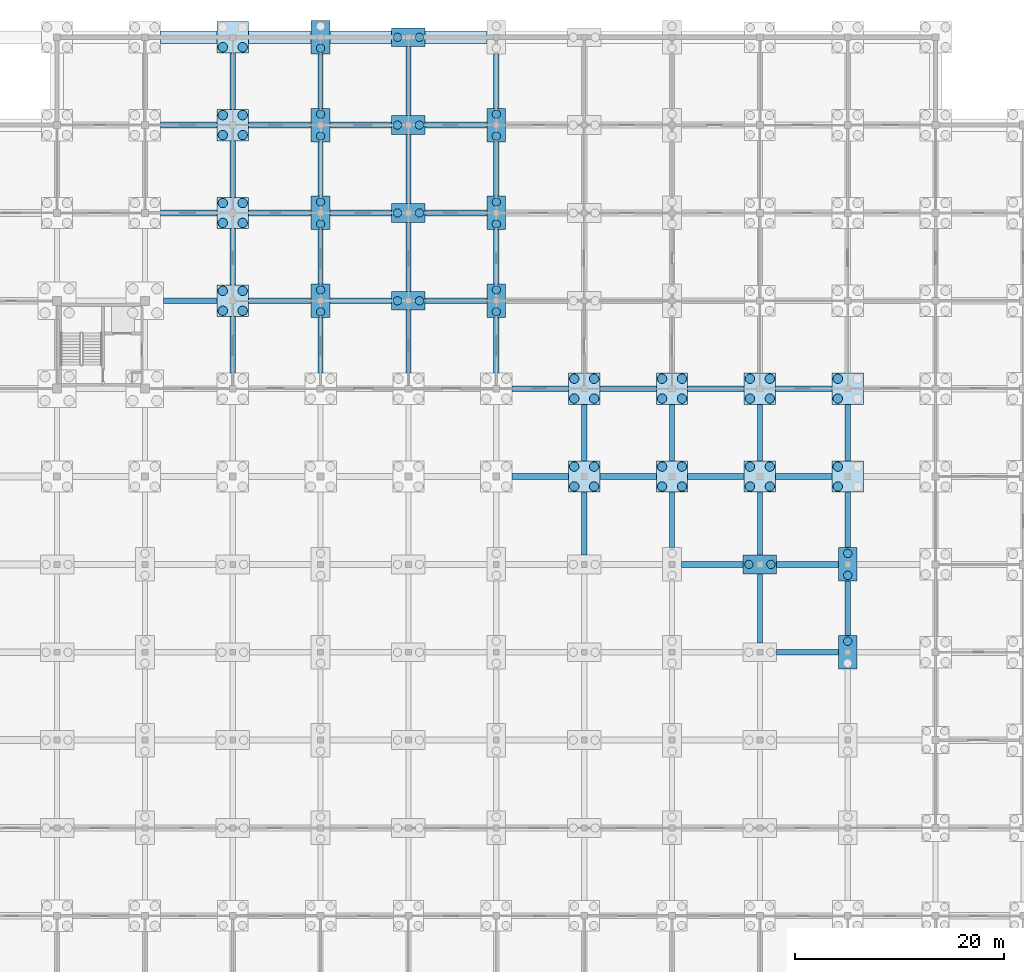
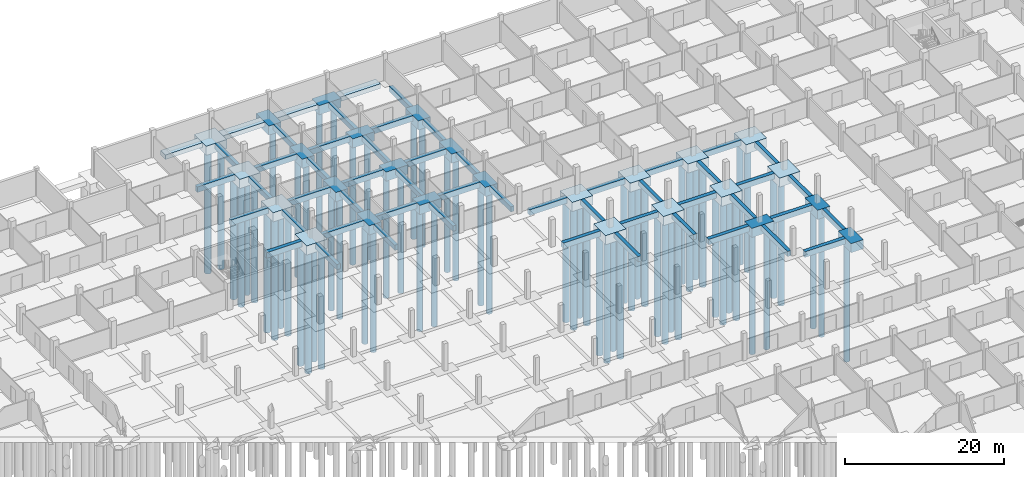
# One storey, part 10 of 43: 79 footings, 68 piles.
"""IFC4 building model written with IfcOpenShell, lengths in metres."""

from ifc_helpers import new_model, si_unit, direction, frame, origin, origin_2d, place, context, subcontext, project, spatial, rectangle, circle, extrude, material, material_profile, profile_set, type_object, element, save


model = new_model("IFC4")

# Units and contexts
model_context = context("Model", 3, precision=1e-05, world=origin(), true_north=direction((0.0, 1.0)))
body_context = subcontext(model_context, "Body", "Model", "MODEL_VIEW")
ifc_project = project(units=[si_unit("LENGTHUNIT", "METRE"), si_unit("AREAUNIT", "SQUARE_METRE"), si_unit("VOLUMEUNIT", "CUBIC_METRE"), si_unit("PLANEANGLEUNIT", "RADIAN"), si_unit("MASSUNIT", "GRAM", prefix="KILO")], contexts=[model_context])

# Site, building, storey
site_placement = place(None, origin())
site = spatial("IfcSite", under=ifc_project, at=site_placement, CompositionType="ELEMENT")
building_placement = place(site_placement, origin())
building = spatial("IfcBuilding", under=site, at=building_placement, Name="Varnapada Polytechnic", CompositionType="ELEMENT")
storey_placement = place(building_placement, frame((0.0, 0.0, -4.199951171875)))
storey = spatial("IfcBuildingStorey", under=building, at=storey_placement, Name="B1", CompositionType="ELEMENT", Elevation=-4.199951171875)

# Piles
ifc_material = material(Name="Concrete C40/50", Category="concrete")
ifc_material_profile_1 = material_profile(ifc_material, circle(Radius=0.39990234375, at=origin_2d()), Name="BP 800")
ifc_profile_set_1 = profile_set([ifc_material_profile_1], Name="Concrete C40/50")
pile_type_1 = type_object("IfcPileType", Name="Bored Pile BP 800", PredefinedType="BORED", material=ifc_profile_set_1)
for number, where, z_axis, x_axis, name in (
    (1, (75.60009765625, 99.75, -1.300048828125), (0.0, 0.0, -1.0), (1.0, 0.0, 0.0), "Bored pile P-03 under CAP-09-12 (1)"),
    (2, (75.60009765625, 101.85009765625, -1.300048828125), (0.0, 0.0, -1.0), (1.0, 0.0, 0.0), "Bored pile P-03 under CAP-09-12 (2)"),
    (3, (75.60009765625, 108.14990234375, -1.300048828125), (0.0, 0.0, -1.0), (1.0, 0.0, 0.0), "Bored pile P-03 under CAP-09-13 (1)"),
    (4, (75.60009765625, 110.25, -1.300048828125), (0.0, 0.0, -1.0), (1.0, 0.0, 0.0), "Bored pile P-03 under CAP-09-13 (2)"),
    (5, (75.60009765625, 116.550048828125, -1.300048828125), (0.0, 0.0, -1.0), (1.0, 0.0, 0.0), "Bored pile P-03 under CAP-09-14 (1)"),
    (6, (75.60009765625, 118.64990234375, -1.300048828125), (0.0, 0.0, -1.0), (1.0, 0.0, 0.0), "Bored pile P-03 under CAP-09-14 (2)"),
    (7, (75.60009765625, 124.949951171875, -1.300048828125), (0.0, 0.0, -1.0), (1.0, 0.0, 0.0), "Bored pile P-03 under CAP-09-15 (1)"),
    (8, (82.949951171875, 100.800048828125, -1.300048828125), (0.0, 0.0, -1.0), (1.0, 0.0, 0.0), "Bored pile P-03 under CAP-10-12 (1)"),
    (9, (85.050048828125, 100.800048828125, -1.300048828125), (0.0, 0.0, -1.0), (1.0, 0.0, 0.0), "Bored pile P-03 under CAP-10-12 (2)"),
    (10, (82.949951171875, 109.199951171875, -1.300048828125), (0.0, 0.0, -1.0), (1.0, 0.0, 0.0), "Bored pile P-03 under CAP-10-13 (1)"),
    (11, (85.050048828125, 109.199951171875, -1.300048828125), (0.0, 0.0, -1.0), (1.0, 0.0, 0.0), "Bored pile P-03 under CAP-10-13 (2)"),
    (12, (82.949951171875, 117.60009765625, -1.300048828125), (0.0, 0.0, -1.0), (1.0, 0.0, 0.0), "Bored pile P-03 under CAP-10-14 (1)"),
    (13, (85.050048828125, 117.60009765625, -1.300048828125), (0.0, 0.0, -1.0), (1.0, 0.0, 0.0), "Bored pile P-03 under CAP-10-14 (2)"),
    (14, (82.949951171875, 126.0, -1.300048828125), (0.0, 0.0, -1.0), (1.0, 0.0, 0.0), "Bored pile P-03 under CAP-10-15 (1)"),
    (15, (85.050048828125, 126.0, -1.300048828125), (0.0, 0.0, -1.0), (1.0, 0.0, 0.0), "Bored pile P-03 under CAP-10-15 (2)"),
    (16, (92.39990234375, 99.75, -1.300048828125), (0.0, 0.0, -1.0), (1.0, 0.0, 0.0), "Bored pile P-03 under CAP-11-12 (1)"),
    (17, (92.39990234375, 101.85009765625, -1.300048828125), (0.0, 0.0, -1.0), (1.0, 0.0, 0.0), "Bored pile P-03 under CAP-11-12 (2)"),
    (18, (92.39990234375, 108.14990234375, -1.300048828125), (0.0, 0.0, -1.0), (1.0, 0.0, 0.0), "Bored pile P-03 under CAP-11-13 (1)"),
    (19, (92.39990234375, 110.25, -1.300048828125), (0.0, 0.0, -1.0), (1.0, 0.0, 0.0), "Bored pile P-03 under CAP-11-13 (2)"),
    (20, (92.39990234375, 116.550048828125, -1.300048828125), (0.0, 0.0, -1.0), (1.0, 0.0, 0.0), "Bored pile P-03 under CAP-11-14 (1)"),
    (21, (92.39990234375, 118.64990234375, -1.300048828125), (0.0, 0.0, -1.0), (1.0, 0.0, 0.0), "Bored pile P-03 under CAP-11-14 (2)"),
    (22, (116.550048828125, 75.60009765625, -1.300048828125), (0.0, 0.0, -1.0), (1.0, 0.0, 0.0), "Bored pile P-03 under CAP-14-09 (1)"),
    (23, (118.64990234375, 75.60009765625, -1.300048828125), (0.0, 0.0, -1.0), (1.0, 0.0, 0.0), "Bored pile P-03 under CAP-14-09 (2)"),
    (24, (126.0, 68.25, -1.300048828125), (0.0, 0.0, -1.0), (1.0, 0.0, 0.0), "Bored pile P-03 under CAP-15-08 (2)"),
    (25, (126.0, 74.550048828125, -1.300048828125), (0.0, 0.0, -1.0), (1.0, 0.0, 0.0), "Bored pile P-03 under CAP-15-09 (1)"),
    (26, (126.0, 76.64990234375, -1.300048828125), (0.0, 0.0, -1.0), (1.0, 0.0, 0.0), "Bored pile P-03 under CAP-15-09 (2)"),
):
    element("IfcPile", number, at=place(storey_placement, frame(where, z_axis=z_axis, x_axis=x_axis)), inside=storey, type_object=pile_type_1, Name=name, PredefinedType="BORED", context=body_context, shape_type="SweptSolid", body=[
        extrude(circle(Radius=0.39990234375, at=origin_2d()), origin(), (0.0, 0.0, 1.0), 18.5),
    ])
ifc_material_profile_2 = material_profile(ifc_material, circle(Radius=0.449951171875, at=origin_2d()), Name="BP 900")
ifc_profile_set_2 = profile_set([ifc_material_profile_2], Name="Concrete C40/50")
pile_type_2 = type_object("IfcPileType", Name="Bored Pile BP 900", PredefinedType="BORED", material=ifc_profile_set_2)
for number, where, z_axis, x_axis, name in (
    (27, (66.25, 99.85009765625, -1.300048828125), (0.0, 0.0, -1.0), (1.0, 0.0, 0.0), "Bored pile P-02 under CAP-08-12 (1)"),
    (28, (68.14990234375, 99.85009765625, -1.300048828125), (0.0, 0.0, -1.0), (1.0, 0.0, 0.0), "Bored pile P-02 under CAP-08-12 (2)"),
    (29, (66.25, 101.75, -1.300048828125), (0.0, 0.0, -1.0), (1.0, 0.0, 0.0), "Bored pile P-02 under CAP-08-12 (3)"),
    (30, (68.14990234375, 101.75, -1.300048828125), (0.0, 0.0, -1.0), (1.0, 0.0, 0.0), "Bored pile P-02 under CAP-08-12 (4)"),
    (31, (66.25, 108.25, -1.300048828125), (0.0, 0.0, -1.0), (1.0, 0.0, 0.0), "Bored pile P-02 under CAP-08-13 (1)"),
    (32, (68.14990234375, 108.25, -1.300048828125), (0.0, 0.0, -1.0), (1.0, 0.0, 0.0), "Bored pile P-02 under CAP-08-13 (2)"),
    (33, (66.25, 110.14990234375, -1.300048828125), (0.0, 0.0, -1.0), (1.0, 0.0, 0.0), "Bored pile P-02 under CAP-08-13 (3)"),
    (34, (68.14990234375, 110.14990234375, -1.300048828125), (0.0, 0.0, -1.0), (1.0, 0.0, 0.0), "Bored pile P-02 under CAP-08-13 (4)"),
    (35, (66.25, 116.64990234375, -1.300048828125), (0.0, 0.0, -1.0), (1.0, 0.0, 0.0), "Bored pile P-02 under CAP-08-14 (1)"),
    (36, (68.14990234375, 116.64990234375, -1.300048828125), (0.0, 0.0, -1.0), (1.0, 0.0, 0.0), "Bored pile P-02 under CAP-08-14 (2)"),
    (37, (66.25, 118.550048828125, -1.300048828125), (0.0, 0.0, -1.0), (1.0, 0.0, 0.0), "Bored pile P-02 under CAP-08-14 (3)"),
    (38, (68.14990234375, 118.550048828125, -1.300048828125), (0.0, 0.0, -1.0), (1.0, 0.0, 0.0), "Bored pile P-02 under CAP-08-14 (4)"),
    (39, (66.25, 125.050048828125, -1.300048828125), (0.0, 0.0, -1.0), (1.0, 0.0, 0.0), "Bored pile P-02 under CAP-08-15 (1)"),
    (40, (68.14990234375, 125.050048828125, -1.300048828125), (0.0, 0.0, -1.0), (1.0, 0.0, 0.0), "Bored pile P-02 under CAP-08-15 (2)"),
    (41, (99.85009765625, 83.050048828125, -1.300048828125), (0.0, 0.0, -1.0), (1.0, 0.0, 0.0), "Bored pile P-02 under CAP-12-10 (1)"),
    (42, (101.75, 83.050048828125, -1.300048828125), (0.0, 0.0, -1.0), (1.0, 0.0, 0.0), "Bored pile P-02 under CAP-12-10 (2)"),
    (43, (99.85009765625, 84.949951171875, -1.300048828125), (0.0, 0.0, -1.0), (1.0, 0.0, 0.0), "Bored pile P-02 under CAP-12-10 (3)"),
    (44, (101.75, 84.949951171875, -1.300048828125), (0.0, 0.0, -1.0), (1.0, 0.0, 0.0), "Bored pile P-02 under CAP-12-10 (4)"),
    (45, (99.85009765625, 91.449951171875, -1.300048828125), (0.0, 0.0, -1.0), (1.0, 0.0, 0.0), "Bored pile P-02 under CAP-12-11 (1)"),
    (46, (101.75, 91.449951171875, -1.300048828125), (0.0, 0.0, -1.0), (1.0, 0.0, 0.0), "Bored pile P-02 under CAP-12-11 (2)"),
    (47, (99.85009765625, 93.35009765625, -1.300048828125), (0.0, 0.0, -1.0), (1.0, 0.0, 0.0), "Bored pile P-02 under CAP-12-11 (3)"),
    (48, (101.75, 93.35009765625, -1.300048828125), (0.0, 0.0, -1.0), (1.0, 0.0, 0.0), "Bored pile P-02 under CAP-12-11 (4)"),
    (49, (108.25, 83.050048828125, -1.300048828125), (0.0, 0.0, -1.0), (1.0, 0.0, 0.0), "Bored pile P-02 under CAP-13-10 (1)"),
    (50, (110.14990234375, 83.050048828125, -1.300048828125), (0.0, 0.0, -1.0), (1.0, 0.0, 0.0), "Bored pile P-02 under CAP-13-10 (2)"),
    (51, (108.25, 84.949951171875, -1.300048828125), (0.0, 0.0, -1.0), (1.0, 0.0, 0.0), "Bored pile P-02 under CAP-13-10 (3)"),
    (52, (110.14990234375, 84.949951171875, -1.300048828125), (0.0, 0.0, -1.0), (1.0, 0.0, 0.0), "Bored pile P-02 under CAP-13-10 (4)"),
    (53, (108.25, 91.449951171875, -1.300048828125), (0.0, 0.0, -1.0), (1.0, 0.0, 0.0), "Bored pile P-02 under CAP-13-11 (1)"),
    (54, (110.14990234375, 91.449951171875, -1.300048828125), (0.0, 0.0, -1.0), (1.0, 0.0, 0.0), "Bored pile P-02 under CAP-13-11 (2)"),
    (55, (108.25, 93.35009765625, -1.300048828125), (0.0, 0.0, -1.0), (1.0, 0.0, 0.0), "Bored pile P-02 under CAP-13-11 (3)"),
    (56, (110.14990234375, 93.35009765625, -1.300048828125), (0.0, 0.0, -1.0), (1.0, 0.0, 0.0), "Bored pile P-02 under CAP-13-11 (4)"),
    (57, (116.64990234375, 83.050048828125, -1.300048828125), (0.0, 0.0, -1.0), (1.0, 0.0, 0.0), "Bored pile P-02 under CAP-14-10 (1)"),
    (58, (118.550048828125, 83.050048828125, -1.300048828125), (0.0, 0.0, -1.0), (1.0, 0.0, 0.0), "Bored pile P-02 under CAP-14-10 (2)"),
    (59, (116.64990234375, 84.949951171875, -1.300048828125), (0.0, 0.0, -1.0), (1.0, 0.0, 0.0), "Bored pile P-02 under CAP-14-10 (3)"),
    (60, (118.550048828125, 84.949951171875, -1.300048828125), (0.0, 0.0, -1.0), (1.0, 0.0, 0.0), "Bored pile P-02 under CAP-14-10 (4)"),
    (61, (116.64990234375, 91.449951171875, -1.300048828125), (0.0, 0.0, -1.0), (1.0, 0.0, 0.0), "Bored pile P-02 under CAP-14-11 (1)"),
    (62, (118.550048828125, 91.449951171875, -1.300048828125), (0.0, 0.0, -1.0), (1.0, 0.0, 0.0), "Bored pile P-02 under CAP-14-11 (2)"),
    (63, (116.64990234375, 93.35009765625, -1.300048828125), (0.0, 0.0, -1.0), (1.0, 0.0, 0.0), "Bored pile P-02 under CAP-14-11 (3)"),
    (64, (118.550048828125, 93.35009765625, -1.300048828125), (0.0, 0.0, -1.0), (1.0, 0.0, 0.0), "Bored pile P-02 under CAP-14-11 (4)"),
    (65, (125.050048828125, 83.050048828125, -1.300048828125), (0.0, 0.0, -1.0), (1.0, 0.0, 0.0), "Bored pile P-02 under CAP-15-10 (1)"),
    (66, (125.050048828125, 84.949951171875, -1.300048828125), (0.0, 0.0, -1.0), (1.0, 0.0, 0.0), "Bored pile P-02 under CAP-15-10 (3)"),
    (67, (125.050048828125, 91.449951171875, -1.300048828125), (0.0, 0.0, -1.0), (1.0, 0.0, 0.0), "Bored pile P-02 under CAP-15-11 (1)"),
    (68, (125.050048828125, 93.35009765625, -1.300048828125), (0.0, 0.0, -1.0), (1.0, 0.0, 0.0), "Bored pile P-02 under CAP-15-11 (3)"),
):
    element("IfcPile", number, at=place(storey_placement, frame(where, z_axis=z_axis, x_axis=x_axis)), inside=storey, type_object=pile_type_2, Name=name, PredefinedType="BORED", context=body_context, shape_type="SweptSolid", body=[
        extrude(circle(Radius=0.449951171875, at=origin_2d()), origin(), (0.0, 0.0, 1.0), 18.5),
    ])

# Footings
footing_type_1 = type_object("IfcFootingType", Name="Footing GB-02", PredefinedType="FOOTING_BEAM", material=ifc_material)
for number, where, z_axis, x_axis, name in (
    (69, (67.199951171875, 96.60009765625, -0.80029296875), (0.0, 0.0, 1.0), (0.0, 1.0, 0.0), "Ground footing beam GB-02 Y 12-13"),
    (70, (67.199951171875, 105.0, -0.80029296875), (0.0, 0.0, 1.0), (0.0, 1.0, 0.0), "Ground footing beam GB-02 Y 13-14"),
    (71, (67.199951171875, 113.39990234375, -0.80029296875), (0.0, 0.0, 1.0), (0.0, 1.0, 0.0), "Ground footing beam GB-02 Y 14-15"),
    (72, (67.199951171875, 121.800048828125, -0.80029296875), (0.0, 0.0, 1.0), (0.0, 1.0, 0.0), "Ground footing beam GB-02 Y 15-16"),
):
    element("IfcFooting", number, at=place(storey_placement, frame(where, z_axis=z_axis, x_axis=x_axis)), inside=storey, type_object=footing_type_1, Name=name, PredefinedType="FOOTING_BEAM", context=body_context, shape_type="SweptSolid", body=[
        extrude(rectangle(XDim=5.39990234375, YDim=0.5, at=origin_2d()), origin(), (0.0, 0.0, 1.0), 0.800048828125),
    ])
footing_1_placement = place(storey_placement, frame((75.60009765625, 96.550048828125, -0.80029296875), z_axis=(0.0, 0.0, 1.0), x_axis=(0.0, 1.0, 0.0)))
element("IfcFooting", 73, at=footing_1_placement, inside=storey, type_object=footing_type_1, Name="Ground footing beam GB-02 Y 12-13", PredefinedType="FOOTING_BEAM", context=body_context, shape_type="SweptSolid", body=[
    extrude(rectangle(XDim=5.300048828125, YDim=0.5, at=origin_2d()), origin(), (0.0, 0.0, 1.0), 0.800048828125),
])
for number, where, z_axis, x_axis, name in (
    (74, (75.60009765625, 105.0, -0.80029296875), (0.0, 0.0, 1.0), (0.0, 1.0, 0.0), "Ground footing beam GB-02 Y 13-14"),
    (75, (75.60009765625, 113.39990234375, -0.80029296875), (0.0, 0.0, 1.0), (0.0, 1.0, 0.0), "Ground footing beam GB-02 Y 14-15"),
    (76, (75.60009765625, 121.800048828125, -0.80029296875), (0.0, 0.0, 1.0), (0.0, 1.0, 0.0), "Ground footing beam GB-02 Y 15-16"),
):
    element("IfcFooting", number, at=place(storey_placement, frame(where, z_axis=z_axis, x_axis=x_axis)), inside=storey, type_object=footing_type_1, Name=name, PredefinedType="FOOTING_BEAM", context=body_context, shape_type="SweptSolid", body=[
        extrude(rectangle(XDim=5.199951171875, YDim=0.5, at=origin_2d()), origin(), (0.0, 0.0, 1.0), 0.800048828125),
    ])
footing_2_placement = place(storey_placement, frame((84.0, 96.89990234375, -0.80029296875), z_axis=(0.0, 0.0, 1.0), x_axis=(0.0, 1.0, 0.0)))
element("IfcFooting", 77, at=footing_2_placement, inside=storey, type_object=footing_type_1, Name="Ground footing beam GB-02 Y 12-13", PredefinedType="FOOTING_BEAM", context=body_context, shape_type="SweptSolid", body=[
    extrude(rectangle(XDim=6.0, YDim=0.5, at=origin_2d()), origin(), (0.0, 0.0, 1.0), 0.800048828125),
])
for number, where, z_axis, x_axis, name in (
    (78, (84.0, 105.0, -0.80029296875), (0.0, 0.0, 1.0), (0.0, 1.0, 0.0), "Ground footing beam GB-02 Y 13-14"),
    (79, (84.0, 113.39990234375, -0.80029296875), (0.0, 0.0, 1.0), (0.0, 1.0, 0.0), "Ground footing beam GB-02 Y 14-15"),
    (80, (84.0, 121.800048828125, -0.80029296875), (0.0, 0.0, 1.0), (0.0, 1.0, 0.0), "Ground footing beam GB-02 Y 15-16"),
):
    element("IfcFooting", number, at=place(storey_placement, frame(where, z_axis=z_axis, x_axis=x_axis)), inside=storey, type_object=footing_type_1, Name=name, PredefinedType="FOOTING_BEAM", context=body_context, shape_type="SweptSolid", body=[
        extrude(rectangle(XDim=6.60009765625, YDim=0.5, at=origin_2d()), origin(), (0.0, 0.0, 1.0), 0.800048828125),
    ])
footing_3_placement = place(storey_placement, frame((92.39990234375, 96.550048828125, -0.80029296875), z_axis=(0.0, 0.0, 1.0), x_axis=(0.0, 1.0, 0.0)))
element("IfcFooting", 81, at=footing_3_placement, inside=storey, type_object=footing_type_1, Name="Ground footing beam GB-02 Y 12-13", PredefinedType="FOOTING_BEAM", context=body_context, shape_type="SweptSolid", body=[
    extrude(rectangle(XDim=5.300048828125, YDim=0.5, at=origin_2d()), origin(), (0.0, 0.0, 1.0), 0.800048828125),
])
for number, where, z_axis, x_axis, name in (
    (82, (92.39990234375, 105.0, -0.80029296875), (0.0, 0.0, 1.0), (0.0, 1.0, 0.0), "Ground footing beam GB-02 Y 13-14"),
    (83, (92.39990234375, 113.39990234375, -0.80029296875), (0.0, 0.0, 1.0), (0.0, 1.0, 0.0), "Ground footing beam GB-02 Y 14-15"),
    (84, (92.39990234375, 121.800048828125, -0.80029296875), (0.0, 0.0, 1.0), (0.0, 1.0, 0.0), "Ground footing beam GB-02 Y 15-16"),
):
    element("IfcFooting", number, at=place(storey_placement, frame(where, z_axis=z_axis, x_axis=x_axis)), inside=storey, type_object=footing_type_1, Name=name, PredefinedType="FOOTING_BEAM", context=body_context, shape_type="SweptSolid", body=[
        extrude(rectangle(XDim=5.199951171875, YDim=0.5, at=origin_2d()), origin(), (0.0, 0.0, 1.0), 0.800048828125),
    ])
footing_4_placement = place(storey_placement, frame((100.800048828125, 79.5, -0.80029296875), z_axis=(0.0, 0.0, 1.0), x_axis=(0.0, 1.0, 0.0)))
element("IfcFooting", 85, at=footing_4_placement, inside=storey, type_object=footing_type_1, Name="Ground footing beam GB-02 Y 10-11", PredefinedType="FOOTING_BEAM", context=body_context, shape_type="SweptSolid", body=[
    extrude(rectangle(XDim=6.0, YDim=0.5, at=origin_2d()), origin(), (0.0, 0.0, 1.0), 0.800048828125),
])
footing_5_placement = place(storey_placement, frame((100.800048828125, 88.199951171875, -0.80029296875), z_axis=(0.0, 0.0, 1.0), x_axis=(0.0, 1.0, 0.0)))
element("IfcFooting", 86, at=footing_5_placement, inside=storey, type_object=footing_type_1, Name="Ground footing beam GB-02 Y 11-12", PredefinedType="FOOTING_BEAM", context=body_context, shape_type="SweptSolid", body=[
    extrude(rectangle(XDim=5.39990234375, YDim=0.5, at=origin_2d()), origin(), (0.0, 0.0, 1.0), 0.800048828125),
])
footing_6_placement = place(storey_placement, frame((109.199951171875, 79.85009765625, -0.80029296875), z_axis=(0.0, 0.0, 1.0), x_axis=(0.0, 1.0, 0.0)))
element("IfcFooting", 87, at=footing_6_placement, inside=storey, type_object=footing_type_1, Name="Ground footing beam GB-02 Y 10-11", PredefinedType="FOOTING_BEAM", context=body_context, shape_type="SweptSolid", body=[
    extrude(rectangle(XDim=5.300048828125, YDim=0.5, at=origin_2d()), origin(), (0.0, 0.0, 1.0), 0.800048828125),
])
footing_7_placement = place(storey_placement, frame((109.199951171875, 88.199951171875, -0.80029296875), z_axis=(0.0, 0.0, 1.0), x_axis=(0.0, 1.0, 0.0)))
element("IfcFooting", 88, at=footing_7_placement, inside=storey, type_object=footing_type_1, Name="Ground footing beam GB-02 Y 11-12", PredefinedType="FOOTING_BEAM", context=body_context, shape_type="SweptSolid", body=[
    extrude(rectangle(XDim=5.39990234375, YDim=0.5, at=origin_2d()), origin(), (0.0, 0.0, 1.0), 0.800048828125),
])
footing_8_placement = place(storey_placement, frame((117.60009765625, 71.39990234375, -0.80029296875), z_axis=(0.0, 0.0, 1.0), x_axis=(0.0, 1.0, 0.0)))
element("IfcFooting", 89, at=footing_8_placement, inside=storey, type_object=footing_type_1, Name="Ground footing beam GB-02 Y 9-10", PredefinedType="FOOTING_BEAM", context=body_context, shape_type="SweptSolid", body=[
    extrude(rectangle(XDim=6.60009765625, YDim=0.5, at=origin_2d()), origin(), (0.0, 0.0, 1.0), 0.800048828125),
])
footing_9_placement = place(storey_placement, frame((117.60009765625, 79.5, -0.80029296875), z_axis=(0.0, 0.0, 1.0), x_axis=(0.0, 1.0, 0.0)))
element("IfcFooting", 90, at=footing_9_placement, inside=storey, type_object=footing_type_1, Name="Ground footing beam GB-02 Y 10-11", PredefinedType="FOOTING_BEAM", context=body_context, shape_type="SweptSolid", body=[
    extrude(rectangle(XDim=6.0, YDim=0.5, at=origin_2d()), origin(), (0.0, 0.0, 1.0), 0.800048828125),
])
footing_10_placement = place(storey_placement, frame((117.60009765625, 88.199951171875, -0.80029296875), z_axis=(0.0, 0.0, 1.0), x_axis=(0.0, 1.0, 0.0)))
element("IfcFooting", 91, at=footing_10_placement, inside=storey, type_object=footing_type_1, Name="Ground footing beam GB-02 Y 11-12", PredefinedType="FOOTING_BEAM", context=body_context, shape_type="SweptSolid", body=[
    extrude(rectangle(XDim=5.39990234375, YDim=0.5, at=origin_2d()), origin(), (0.0, 0.0, 1.0), 0.800048828125),
])
footing_11_placement = place(storey_placement, frame((126.0, 71.39990234375, -0.80029296875), z_axis=(0.0, 0.0, 1.0), x_axis=(0.0, 1.0, 0.0)))
element("IfcFooting", 92, at=footing_11_placement, inside=storey, type_object=footing_type_1, Name="Ground footing beam GB-02 Y 9-10", PredefinedType="FOOTING_BEAM", context=body_context, shape_type="SweptSolid", body=[
    extrude(rectangle(XDim=5.199951171875, YDim=0.5, at=origin_2d()), origin(), (0.0, 0.0, 1.0), 0.800048828125),
])
footing_12_placement = place(storey_placement, frame((126.0, 79.85009765625, -0.80029296875), z_axis=(0.0, 0.0, 1.0), x_axis=(0.0, 1.0, 0.0)))
element("IfcFooting", 93, at=footing_12_placement, inside=storey, type_object=footing_type_1, Name="Ground footing beam GB-02 Y 10-11", PredefinedType="FOOTING_BEAM", context=body_context, shape_type="SweptSolid", body=[
    extrude(rectangle(XDim=5.300048828125, YDim=0.5, at=origin_2d()), origin(), (0.0, 0.0, 1.0), 0.800048828125),
])
footing_13_placement = place(storey_placement, frame((126.0, 88.199951171875, -0.80029296875), z_axis=(0.0, 0.0, 1.0), x_axis=(0.0, 1.0, 0.0)))
element("IfcFooting", 94, at=footing_13_placement, inside=storey, type_object=footing_type_1, Name="Ground footing beam GB-02 Y 11-12", PredefinedType="FOOTING_BEAM", context=body_context, shape_type="SweptSolid", body=[
    extrude(rectangle(XDim=5.39990234375, YDim=0.5, at=origin_2d()), origin(), (0.0, 0.0, 1.0), 0.800048828125),
])
footing_type_2 = type_object("IfcFootingType", Name="Footing GB-04", PredefinedType="FOOTING_BEAM", material=ifc_material)
footing_14_placement = place(storey_placement, frame((63.14990234375, 100.800048828125, -0.85009765625), z_axis=(0.0, 0.0, 1.0), x_axis=(1.0, 0.0, 0.0)))
element("IfcFooting", 95, at=footing_14_placement, inside=storey, type_object=footing_type_2, Name="Ground footing beam GB-04 X 8-9", PredefinedType="FOOTING_BEAM", context=body_context, shape_type="SweptSolid", body=[
    extrude(rectangle(XDim=5.10009765625, YDim=0.550048828125, at=origin_2d()), origin(), (0.0, 0.0, 1.0), 0.85009765625),
])
for number, where, z_axis, x_axis, name in (
    (96, (63.0, 109.199951171875, -0.85009765625), (0.0, 0.0, 1.0), (1.0, 0.0, 0.0), "Ground footing beam GB-04 X 8-9"),
    (97, (63.0, 117.60009765625, -0.85009765625), (0.0, 0.0, 1.0), (1.0, 0.0, 0.0), "Ground footing beam GB-04 X 8-9"),
):
    element("IfcFooting", number, at=place(storey_placement, frame(where, z_axis=z_axis, x_axis=x_axis)), inside=storey, type_object=footing_type_2, Name=name, PredefinedType="FOOTING_BEAM", context=body_context, shape_type="SweptSolid", body=[
        extrude(rectangle(XDim=5.39990234375, YDim=0.550048828125, at=origin_2d()), origin(), (0.0, 0.0, 1.0), 0.85009765625),
    ])
for number, where, z_axis, x_axis, name in (
    (98, (71.699951171875, 100.800048828125, -0.85009765625), (0.0, 0.0, 1.0), (1.0, 0.0, 0.0), "Ground footing beam GB-04 X 9-10"),
    (99, (71.699951171875, 109.199951171875, -0.85009765625), (0.0, 0.0, 1.0), (1.0, 0.0, 0.0), "Ground footing beam GB-04 X 9-10"),
    (100, (71.699951171875, 117.60009765625, -0.85009765625), (0.0, 0.0, 1.0), (1.0, 0.0, 0.0), "Ground footing beam GB-04 X 9-10"),
):
    element("IfcFooting", number, at=place(storey_placement, frame(where, z_axis=z_axis, x_axis=x_axis)), inside=storey, type_object=footing_type_2, Name=name, PredefinedType="FOOTING_BEAM", context=body_context, shape_type="SweptSolid", body=[
        extrude(rectangle(XDim=6.0, YDim=0.550048828125, at=origin_2d()), origin(), (0.0, 0.0, 1.0), 0.85009765625),
    ])
for number, where, z_axis, x_axis, name in (
    (101, (79.449951171875, 100.800048828125, -0.85009765625), (0.0, 0.0, 1.0), (1.0, 0.0, 0.0), "Ground footing beam GB-04 X 10-11"),
    (102, (79.449951171875, 109.199951171875, -0.85009765625), (0.0, 0.0, 1.0), (1.0, 0.0, 0.0), "Ground footing beam GB-04 X 10-11"),
    (103, (79.449951171875, 117.60009765625, -0.85009765625), (0.0, 0.0, 1.0), (1.0, 0.0, 0.0), "Ground footing beam GB-04 X 10-11"),
    (104, (88.550048828125, 100.800048828125, -0.85009765625), (0.0, 0.0, 1.0), (1.0, 0.0, 0.0), "Ground footing beam GB-04 X 11-12"),
    (105, (88.550048828125, 109.199951171875, -0.85009765625), (0.0, 0.0, 1.0), (1.0, 0.0, 0.0), "Ground footing beam GB-04 X 11-12"),
    (106, (88.550048828125, 117.60009765625, -0.85009765625), (0.0, 0.0, 1.0), (1.0, 0.0, 0.0), "Ground footing beam GB-04 X 11-12"),
):
    element("IfcFooting", number, at=place(storey_placement, frame(where, z_axis=z_axis, x_axis=x_axis)), inside=storey, type_object=footing_type_2, Name=name, PredefinedType="FOOTING_BEAM", context=body_context, shape_type="SweptSolid", body=[
        extrude(rectangle(XDim=5.89990234375, YDim=0.550048828125, at=origin_2d()), origin(), (0.0, 0.0, 1.0), 0.85009765625),
    ])
for number, where, z_axis, x_axis, name in (
    (107, (96.60009765625, 84.0, -0.85009765625), (0.0, 0.0, 1.0), (1.0, 0.0, 0.0), "Ground footing beam GB-04 X 12-13"),
    (108, (96.60009765625, 92.39990234375, -0.85009765625), (0.0, 0.0, 1.0), (1.0, 0.0, 0.0), "Ground footing beam GB-04 X 12-13"),
    (109, (105.0, 84.0, -0.85009765625), (0.0, 0.0, 1.0), (1.0, 0.0, 0.0), "Ground footing beam GB-04 X 13-14"),
    (110, (105.0, 92.39990234375, -0.85009765625), (0.0, 0.0, 1.0), (1.0, 0.0, 0.0), "Ground footing beam GB-04 X 13-14"),
):
    element("IfcFooting", number, at=place(storey_placement, frame(where, z_axis=z_axis, x_axis=x_axis)), inside=storey, type_object=footing_type_2, Name=name, PredefinedType="FOOTING_BEAM", context=body_context, shape_type="SweptSolid", body=[
        extrude(rectangle(XDim=5.39990234375, YDim=0.550048828125, at=origin_2d()), origin(), (0.0, 0.0, 1.0), 0.85009765625),
    ])
footing_15_placement = place(storey_placement, frame((113.050048828125, 75.60009765625, -0.85009765625), z_axis=(0.0, 0.0, 1.0), x_axis=(1.0, 0.0, 0.0)))
element("IfcFooting", 111, at=footing_15_placement, inside=storey, type_object=footing_type_2, Name="Ground footing beam GB-04 X 14-15", PredefinedType="FOOTING_BEAM", context=body_context, shape_type="SweptSolid", body=[
    extrude(rectangle(XDim=5.89990234375, YDim=0.550048828125, at=origin_2d()), origin(), (0.0, 0.0, 1.0), 0.85009765625),
])
for number, where, z_axis, x_axis, name in (
    (112, (113.39990234375, 84.0, -0.85009765625), (0.0, 0.0, 1.0), (1.0, 0.0, 0.0), "Ground footing beam GB-04 X 14-15"),
    (113, (113.39990234375, 92.39990234375, -0.85009765625), (0.0, 0.0, 1.0), (1.0, 0.0, 0.0), "Ground footing beam GB-04 X 14-15"),
):
    element("IfcFooting", number, at=place(storey_placement, frame(where, z_axis=z_axis, x_axis=x_axis)), inside=storey, type_object=footing_type_2, Name=name, PredefinedType="FOOTING_BEAM", context=body_context, shape_type="SweptSolid", body=[
        extrude(rectangle(XDim=5.39990234375, YDim=0.550048828125, at=origin_2d()), origin(), (0.0, 0.0, 1.0), 0.85009765625),
    ])
for number, where, z_axis, x_axis, name in (
    (114, (122.14990234375, 67.199951171875, -0.85009765625), (0.0, 0.0, 1.0), (1.0, 0.0, 0.0), "Ground footing beam GB-04 X 15-16"),
    (115, (122.14990234375, 75.60009765625, -0.85009765625), (0.0, 0.0, 1.0), (1.0, 0.0, 0.0), "Ground footing beam GB-04 X 15-16"),
):
    element("IfcFooting", number, at=place(storey_placement, frame(where, z_axis=z_axis, x_axis=x_axis)), inside=storey, type_object=footing_type_2, Name=name, PredefinedType="FOOTING_BEAM", context=body_context, shape_type="SweptSolid", body=[
        extrude(rectangle(XDim=5.89990234375, YDim=0.550048828125, at=origin_2d()), origin(), (0.0, 0.0, 1.0), 0.85009765625),
    ])
for number, where, z_axis, x_axis, name in (
    (116, (121.800048828125, 84.0, -0.85009765625), (0.0, 0.0, 1.0), (1.0, 0.0, 0.0), "Ground footing beam GB-04 X 15-16"),
    (117, (121.800048828125, 92.39990234375, -0.85009765625), (0.0, 0.0, 1.0), (1.0, 0.0, 0.0), "Ground footing beam GB-04 X 15-16"),
):
    element("IfcFooting", number, at=place(storey_placement, frame(where, z_axis=z_axis, x_axis=x_axis)), inside=storey, type_object=footing_type_2, Name=name, PredefinedType="FOOTING_BEAM", context=body_context, shape_type="SweptSolid", body=[
        extrude(rectangle(XDim=5.39990234375, YDim=0.550048828125, at=origin_2d()), origin(), (0.0, 0.0, 1.0), 0.85009765625),
    ])
footing_type_3 = type_object("IfcFootingType", Name="Footing PC-03", PredefinedType="PILE_CAP", material=ifc_material)
for number, where, z_axis, x_axis, name in (
    (118, (67.199951171875, 100.800048828125, -1.39990234375), (0.0, 0.0, 1.0), (1.0, 0.0, 0.0), "Pile cap PC-03 at grid 9/13"),
    (119, (67.199951171875, 109.199951171875, -1.39990234375), (0.0, 0.0, 1.0), (1.0, 0.0, 0.0), "Pile cap PC-03 at grid 9/14"),
    (120, (67.199951171875, 117.60009765625, -1.39990234375), (0.0, 0.0, 1.0), (1.0, 0.0, 0.0), "Pile cap PC-03 at grid 9/15"),
    (121, (67.199951171875, 126.0, -1.39990234375), (0.0, 0.0, 1.0), (1.0, 0.0, 0.0), "Pile cap PC-03 at grid 9/16"),
    (122, (100.800048828125, 84.0, -1.39990234375), (0.0, 0.0, 1.0), (1.0, 0.0, 0.0), "Pile cap PC-03 at grid 13/11"),
    (123, (100.800048828125, 92.39990234375, -1.39990234375), (0.0, 0.0, 1.0), (1.0, 0.0, 0.0), "Pile cap PC-03 at grid 13/12"),
    (124, (109.199951171875, 84.0, -1.39990234375), (0.0, 0.0, 1.0), (1.0, 0.0, 0.0), "Pile cap PC-03 at grid 14/11"),
    (125, (109.199951171875, 92.39990234375, -1.39990234375), (0.0, 0.0, 1.0), (1.0, 0.0, 0.0), "Pile cap PC-03 at grid 14/12"),
    (126, (117.60009765625, 84.0, -1.39990234375), (0.0, 0.0, 1.0), (1.0, 0.0, 0.0), "Pile cap PC-03 at grid 15/11"),
    (127, (117.60009765625, 92.39990234375, -1.39990234375), (0.0, 0.0, 1.0), (1.0, 0.0, 0.0), "Pile cap PC-03 at grid 15/12"),
    (128, (126.0, 84.0, -1.39990234375), (0.0, 0.0, 1.0), (1.0, 0.0, 0.0), "Pile cap PC-03 at grid 16/11"),
    (129, (126.0, 92.39990234375, -1.39990234375), (0.0, 0.0, 1.0), (1.0, 0.0, 0.0), "Pile cap PC-03 at grid 16/12"),
):
    element("IfcFooting", number, at=place(storey_placement, frame(where, z_axis=z_axis, x_axis=x_axis)), inside=storey, type_object=footing_type_3, Name=name, PredefinedType="PILE_CAP", context=body_context, shape_type="SweptSolid", body=[
        extrude(rectangle(XDim=3.0, YDim=3.0, at=origin_2d()), origin(), (0.0, 0.0, 1.0), 1.39990234375),
    ])
footing_type_4 = type_object("IfcFootingType", Name="Footing PC-04", PredefinedType="PILE_CAP", material=ifc_material)
for number, where, z_axis, x_axis, name in (
    (130, (84.0, 100.800048828125, -1.39990234375), (0.0, 0.0, 1.0), (1.0, 0.0, 0.0), "Pile cap PC-04 at grid 11/13"),
    (131, (84.0, 109.199951171875, -1.39990234375), (0.0, 0.0, 1.0), (1.0, 0.0, 0.0), "Pile cap PC-04 at grid 11/14"),
    (132, (84.0, 117.60009765625, -1.39990234375), (0.0, 0.0, 1.0), (1.0, 0.0, 0.0), "Pile cap PC-04 at grid 11/15"),
    (133, (84.0, 126.0, -1.39990234375), (0.0, 0.0, 1.0), (1.0, 0.0, 0.0), "Pile cap PC-04 at grid 11/16"),
    (134, (117.60009765625, 75.60009765625, -1.39990234375), (0.0, 0.0, 1.0), (1.0, 0.0, 0.0), "Pile cap PC-04 at grid 15/10"),
):
    element("IfcFooting", number, at=place(storey_placement, frame(where, z_axis=z_axis, x_axis=x_axis)), inside=storey, type_object=footing_type_4, Name=name, PredefinedType="PILE_CAP", context=body_context, shape_type="SweptSolid", body=[
        extrude(rectangle(XDim=3.199951171875, YDim=1.800048828125, at=origin_2d()), origin(), (0.0, 0.0, 1.0), 1.39990234375),
    ])
footing_type_5 = type_object("IfcFootingType", Name="Footing PC-05", PredefinedType="PILE_CAP", material=ifc_material)
for number, where, z_axis, x_axis, name in (
    (135, (75.60009765625, 100.800048828125, -1.39990234375), (0.0, 0.0, 1.0), (1.0, 0.0, 0.0), "Pile cap PC-05 at grid 10/13"),
    (136, (75.60009765625, 109.199951171875, -1.39990234375), (0.0, 0.0, 1.0), (1.0, 0.0, 0.0), "Pile cap PC-05 at grid 10/14"),
    (137, (75.60009765625, 117.60009765625, -1.39990234375), (0.0, 0.0, 1.0), (1.0, 0.0, 0.0), "Pile cap PC-05 at grid 10/15"),
    (138, (75.60009765625, 126.0, -1.39990234375), (0.0, 0.0, 1.0), (1.0, 0.0, 0.0), "Pile cap PC-05 at grid 10/16"),
    (139, (92.39990234375, 100.800048828125, -1.39990234375), (0.0, 0.0, 1.0), (1.0, 0.0, 0.0), "Pile cap PC-05 at grid 12/13"),
    (140, (92.39990234375, 109.199951171875, -1.39990234375), (0.0, 0.0, 1.0), (1.0, 0.0, 0.0), "Pile cap PC-05 at grid 12/14"),
    (141, (92.39990234375, 117.60009765625, -1.39990234375), (0.0, 0.0, 1.0), (1.0, 0.0, 0.0), "Pile cap PC-05 at grid 12/15"),
    (142, (126.0, 67.199951171875, -1.39990234375), (0.0, 0.0, 1.0), (1.0, 0.0, 0.0), "Pile cap PC-05 at grid 16/9"),
    (143, (126.0, 75.60009765625, -1.39990234375), (0.0, 0.0, 1.0), (1.0, 0.0, 0.0), "Pile cap PC-05 at grid 16/10"),
):
    element("IfcFooting", number, at=place(storey_placement, frame(where, z_axis=z_axis, x_axis=x_axis)), inside=storey, type_object=footing_type_5, Name=name, PredefinedType="PILE_CAP", context=body_context, shape_type="SweptSolid", body=[
        extrude(rectangle(XDim=1.800048828125, YDim=3.199951171875, at=origin_2d()), origin(), (0.0, 0.0, 1.0), 1.39990234375),
    ])
footing_type_6 = type_object("IfcFootingType", Name="Footing SF-01", PredefinedType="STRIP_FOOTING", material=ifc_material)
footing_16_placement = place(storey_placement, frame((63.0, 126.0, -0.7001953125), z_axis=(0.0, 0.0, 1.0), x_axis=(1.0, 0.0, 0.0)))
element("IfcFooting", 144, at=footing_16_placement, inside=storey, type_object=footing_type_6, Name="Ground footing beam SF-01 X 8-9", PredefinedType="STRIP_FOOTING", context=body_context, shape_type="SweptSolid", body=[
    extrude(rectangle(XDim=5.39990234375, YDim=1.199951171875, at=origin_2d()), origin(), (0.0, 0.0, 1.0), 0.699951171875),
])
footing_17_placement = place(storey_placement, frame((71.699951171875, 126.0, -0.7001953125), z_axis=(0.0, 0.0, 1.0), x_axis=(1.0, 0.0, 0.0)))
element("IfcFooting", 145, at=footing_17_placement, inside=storey, type_object=footing_type_6, Name="Ground footing beam SF-01 X 9-10", PredefinedType="STRIP_FOOTING", context=body_context, shape_type="SweptSolid", body=[
    extrude(rectangle(XDim=6.0, YDim=1.199951171875, at=origin_2d()), origin(), (0.0, 0.0, 1.0), 0.699951171875),
])
for number, where, z_axis, x_axis, name in (
    (146, (79.449951171875, 126.0, -0.7001953125), (0.0, 0.0, 1.0), (1.0, 0.0, 0.0), "Ground footing beam SF-01 X 10-11"),
    (147, (88.550048828125, 126.0, -0.7001953125), (0.0, 0.0, 1.0), (1.0, 0.0, 0.0), "Ground footing beam SF-01 X 11-12"),
):
    element("IfcFooting", number, at=place(storey_placement, frame(where, z_axis=z_axis, x_axis=x_axis)), inside=storey, type_object=footing_type_6, Name=name, PredefinedType="STRIP_FOOTING", context=body_context, shape_type="SweptSolid", body=[
        extrude(rectangle(XDim=5.89990234375, YDim=1.199951171875, at=origin_2d()), origin(), (0.0, 0.0, 1.0), 0.699951171875),
    ])

save(model, "model.ifc")
